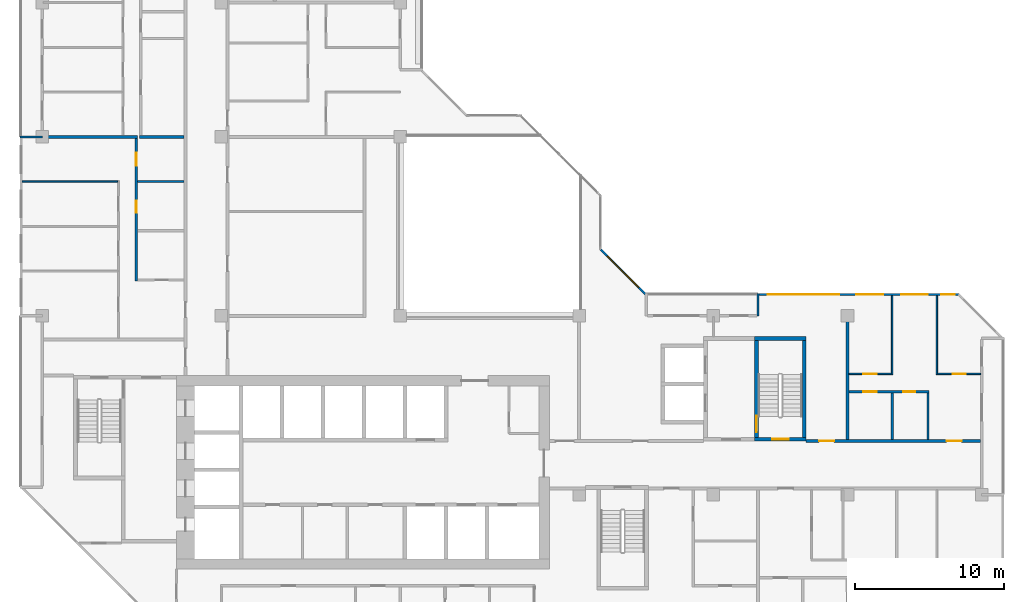
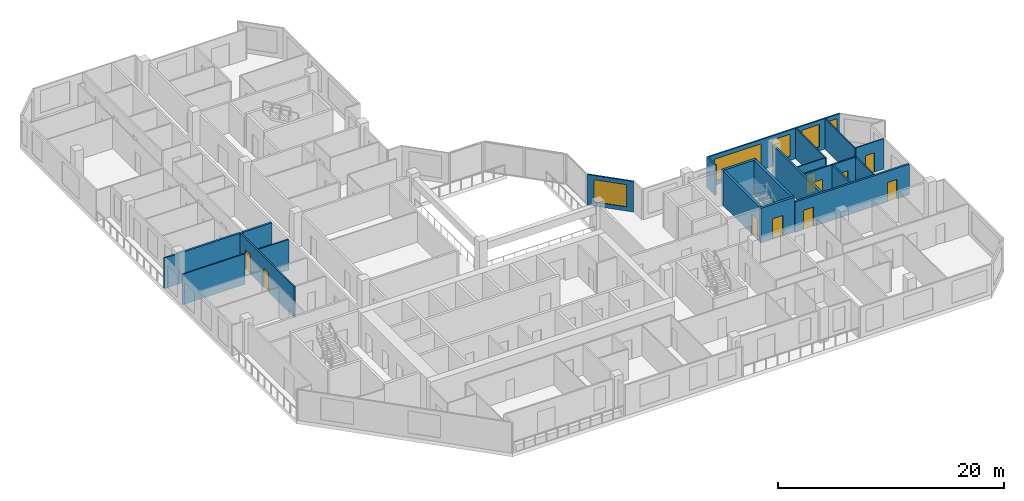
# One storey, part 8 of 15: 22 walls, 10 doors, 5 windows, 15 openings.
"""IFC4 building model written with IfcOpenShell, lengths in metres."""

from ifc_helpers import new_model, si_unit, direction, frame, frame_2d, origin, place, context, subcontext, project, spatial, rectangle, extrude, material, layer, layer_set, type_object, element, fill, save


model = new_model("IFC4")

# Units and contexts
model_context = context("Model", 3, precision=1e-05, world=origin(), true_north=direction((0.0, 1.0)))
body_context = subcontext(model_context, "Body", "Model", "MODEL_VIEW")
ifc_project = project(units=[si_unit("LENGTHUNIT", "METRE"), si_unit("AREAUNIT", "SQUARE_METRE"), si_unit("VOLUMEUNIT", "CUBIC_METRE"), si_unit("PLANEANGLEUNIT", "RADIAN"), si_unit("MASSUNIT", "GRAM", prefix="KILO")], contexts=[model_context])

# Site, building, storey
site_placement = place(None, origin())
site = spatial("IfcSite", under=ifc_project, at=site_placement, CompositionType="ELEMENT")
building_placement = place(site_placement, origin())
building = spatial("IfcBuilding", under=site, at=building_placement, Name="Chenar Terraces", CompositionType="ELEMENT")
storey_placement = place(building_placement, frame((0.0, 0.0, 252.89990234375)))
storey = spatial("IfcBuildingStorey", under=building, at=storey_placement, Name="L60", CompositionType="ELEMENT", Elevation=252.89990234375)

# Wall, opening, door
ifc_material_1 = material(Name="Concrete C60/75", Category="concrete")
ifc_layer_1 = layer(ifc_material_1, 0.25)
ifc_layer_set_1 = layer_set([ifc_layer_1], Name="Concrete C60/75")
wall_type_1 = type_object("IfcWallType", Name="Core wall 250 Concrete C60/75", PredefinedType="SHEAR", material=ifc_layer_set_1)
wall_1_placement = place(storey_placement, frame((47.77490234375, 15.72509765625, 0.0), z_axis=(0.0, 0.0, 1.0), x_axis=(1.0, 0.0, 0.0)))
wall_1 = element("IfcWall", 1, at=wall_1_placement, inside=storey, type_object=wall_type_1, Name="Core wall ST3_S L60", PredefinedType="SHEAR", context=body_context, shape_type="SweptSolid", body=[
    extrude(rectangle(XDim=3.4501953125, YDim=0.25, at=frame_2d((1.72509765625, 0.0))), origin(), (0.0, 0.0, 1.0), 3.75),
])
opening_1_placement = place(wall_1_placement, frame((1.175048828125, 0.0, 0.0)))
opening_1 = element("IfcOpeningElement", 2, at=opening_1_placement, cuts=wall_1, Name="Opening DL60-C8", PredefinedType="OPENING", context=body_context, shape_type="SweptSolid", body=[
    extrude(rectangle(XDim=1.10009765625, YDim=2.199951171875, at=frame_2d((0.550048828125, 1.10009765625))), frame((0.0, 0.135009765625, 0.0), z_axis=(0.0, -1.0, 0.0), x_axis=(1.0, 0.0, 0.0)), (0.0, 0.0, 1.0), 0.27001953125),
])
ifc_material_2 = material(Name="Steel-framed fire-resisting door leaf", Category="steel")
door_type_1 = type_object("IfcDoorType", Name="Stair fire door FD60 1100 x 2200", OperationType="SINGLE_SWING_LEFT", PredefinedType="DOOR", material=ifc_material_2)
door_1_placement = place(opening_1_placement, frame((1.10009765625, 0.0, 0.0), z_axis=(0.0, 0.0, 1.0), x_axis=(-1.0, 0.0, 0.0)))
door_1 = element("IfcDoor", 3, at=door_1_placement, inside=storey, type_object=door_type_1, Name="Stair door DL60-C8", OperationType="SINGLE_SWING_LEFT", OverallHeight=2.199951171875, OverallWidth=1.10009765625, PredefinedType="DOOR", context=body_context, shape_type="SweptSolid", body=[
    extrude(rectangle(XDim=1.10009765625, YDim=2.199951171875, at=frame_2d((0.550048828125, 1.10009765625))), frame((0.0, 0.02490234375, 0.0), z_axis=(0.0, -1.0, 0.0), x_axis=(1.0, 0.0, 0.0)), (0.0, 0.0, 1.0), 0.050048828125),
])
fill(opening_1, door_1)

# Wall
wall_2_placement = place(storey_placement, frame((47.77490234375, 22.47509765625, 0.0), z_axis=(0.0, 0.0, 1.0), x_axis=(1.0, 0.0, 0.0)))
element("IfcWall", 4, at=wall_2_placement, inside=storey, type_object=wall_type_1, Name="Core wall ST3_N L60", PredefinedType="SHEAR", context=body_context, shape_type="SweptSolid", body=[
    extrude(rectangle(XDim=3.4501953125, YDim=0.25, at=frame_2d((1.72509765625, 0.0))), origin(), (0.0, 0.0, 1.0), 3.75),
])

# Wall, opening, door
wall_3_placement = place(storey_placement, frame((47.89990234375, 15.85009765625, 0.0), z_axis=(0.0, 0.0, 1.0), x_axis=(0.0, 1.0, 0.0)))
wall_3 = element("IfcWall", 5, at=wall_3_placement, inside=storey, type_object=wall_type_1, Name="Core wall ST3_W L60", PredefinedType="SHEAR", context=body_context, shape_type="SweptSolid", body=[
    extrude(rectangle(XDim=6.5, YDim=0.25, at=frame_2d((3.25, 0.0))), origin(), (0.0, 0.0, 1.0), 3.75),
])
opening_2_placement = place(wall_3_placement, frame((0.35009765625, 0.0, 0.0)))
opening_2 = element("IfcOpeningElement", 6, at=opening_2_placement, cuts=wall_3, Name="Opening DL60-C11", PredefinedType="OPENING", context=body_context, shape_type="SweptSolid", body=[
    extrude(rectangle(XDim=1.10009765625, YDim=2.199951171875, at=frame_2d((0.550048828125, 1.10009765625))), frame((0.0, 0.135009765625, 0.0), z_axis=(0.0, -1.0, 0.0), x_axis=(1.0, 0.0, 0.0)), (0.0, 0.0, 1.0), 0.27001953125),
])
door_2_placement = place(opening_2_placement, frame((1.10009765625, 0.0, 0.0), z_axis=(0.0, 0.0, 1.0), x_axis=(-1.0, 0.0, 0.0)))
door_2 = element("IfcDoor", 7, at=door_2_placement, inside=storey, type_object=door_type_1, Name="Stair door DL60-C11", OperationType="SINGLE_SWING_RIGHT", OverallHeight=2.199951171875, OverallWidth=1.10009765625, PredefinedType="DOOR", context=body_context, shape_type="SweptSolid", body=[
    extrude(rectangle(XDim=1.10009765625, YDim=2.199951171875, at=frame_2d((0.550048828125, 1.10009765625))), frame((0.0, 0.02490234375, 0.0), z_axis=(0.0, -1.0, 0.0), x_axis=(1.0, 0.0, 0.0)), (0.0, 0.0, 1.0), 0.050048828125),
])
fill(opening_2, door_2)

# Wall
wall_4_placement = place(storey_placement, frame((51.10009765625, 15.85009765625, 0.0), z_axis=(0.0, 0.0, 1.0), x_axis=(0.0, 1.0, 0.0)))
element("IfcWall", 8, at=wall_4_placement, inside=storey, type_object=wall_type_1, Name="Core wall ST3_E L60", PredefinedType="SHEAR", context=body_context, shape_type="SweptSolid", body=[
    extrude(rectangle(XDim=6.5, YDim=0.25, at=frame_2d((3.25, 0.0))), origin(), (0.0, 0.0, 1.0), 3.75),
])

# Wall, openings, doors
ifc_material_3 = material(Name="Gypsum board on steel studs with fire boards", Category="steel")
ifc_layer_2 = layer(ifc_material_3, 0.199951171875)
ifc_layer_set_2 = layer_set([ifc_layer_2], Name="Gypsum board on steel studs with fire boards")
wall_type_2 = type_object("IfcWallType", Name="Corridor wall 200", PredefinedType="PARTITIONING", material=ifc_layer_set_2)
wall_5_placement = place(storey_placement, frame((51.22509765625, 15.60009765625, 0.0), z_axis=(0.0, 0.0, 1.0), x_axis=(1.0, 0.0, 0.0)))
wall_5 = element("IfcWall", 9, at=wall_5_placement, inside=storey, type_object=wall_type_2, Name="Partition L60-078", PredefinedType="PARTITIONING", context=body_context, shape_type="SweptSolid", body=[
    extrude(rectangle(XDim=11.700927734375, YDim=0.199951171875, at=frame_2d((5.8505859375, 0.0))), origin(), (0.0, 0.0, 1.0), 3.300048828125),
])
opening_3_placement = place(wall_5_placement, frame((9.425048828125, 0.0, 0.0)))
opening_3 = element("IfcOpeningElement", 10, at=opening_3_placement, cuts=wall_5, Name="Opening DL60-8", PredefinedType="OPENING", context=body_context, shape_type="SweptSolid", body=[
    extrude(rectangle(XDim=1.0, YDim=2.10009765625, at=frame_2d((0.5, 1.050048828125))), frame((0.0, 0.10986328125, 0.0), z_axis=(0.0, -1.0, 0.0), x_axis=(1.0, 0.0, 0.0)), (0.0, 0.0, 1.0), 0.219970703125),
])
opening_4_placement = place(wall_5_placement, frame((0.875, 0.0, 0.0)))
opening_4 = element("IfcOpeningElement", 11, at=opening_4_placement, cuts=wall_5, Name="Opening DL60-45", PredefinedType="OPENING", context=body_context, shape_type="SweptSolid", body=[
    extrude(rectangle(XDim=1.0, YDim=2.10009765625, at=frame_2d((0.5, 1.050048828125))), frame((0.0, 0.10986328125, 0.0), z_axis=(0.0, -1.0, 0.0), x_axis=(1.0, 0.0, 0.0)), (0.0, 0.0, 1.0), 0.219970703125),
])
ifc_material_4 = material(Name="Steel-framed fire-resisting door leaf", Category="steel")
door_type_2 = type_object("IfcDoorType", Name="Fire door FD30S 1000 x 2100", OperationType="SINGLE_SWING_LEFT", PredefinedType="DOOR", material=ifc_material_4)
door_3_placement = place(opening_3_placement, origin())
door_3 = element("IfcDoor", 12, at=door_3_placement, inside=storey, type_object=door_type_2, Name="Door DL60-8", OperationType="SINGLE_SWING_LEFT", OverallHeight=2.10009765625, OverallWidth=1.0, PredefinedType="DOOR", context=body_context, shape_type="SweptSolid", body=[
    extrude(rectangle(XDim=1.0, YDim=2.10009765625, at=frame_2d((0.5, 1.050048828125))), frame((0.0, 0.02490234375, 0.0), z_axis=(0.0, -1.0, 0.0), x_axis=(1.0, 0.0, 0.0)), (0.0, 0.0, 1.0), 0.050048828125),
])
fill(opening_3, door_3)
door_4_placement = place(opening_4_placement, origin())
door_4 = element("IfcDoor", 13, at=door_4_placement, inside=storey, type_object=door_type_2, Name="Door DL60-45", OperationType="SINGLE_SWING_RIGHT", OverallHeight=2.10009765625, OverallWidth=1.0, PredefinedType="DOOR", context=body_context, shape_type="SweptSolid", body=[
    extrude(rectangle(XDim=1.0, YDim=2.10009765625, at=frame_2d((0.5, 1.050048828125))), frame((0.0, 0.02490234375, 0.0), z_axis=(0.0, -1.0, 0.0), x_axis=(1.0, 0.0, 0.0)), (0.0, 0.0, 1.0), 0.050048828125),
])
fill(opening_4, door_4)

# Wall, openings, windows
ifc_material_5 = material(Name="Aluminium framed glazing", Category="aluminium")
ifc_layer_3 = layer(ifc_material_5, 0.14990234375)
ifc_layer_set_3 = layer_set([ifc_layer_3], Name="Aluminium framed glazing")
wall_type_3 = type_object("IfcWallType", Name="Glazed flush facade wall 150", PredefinedType="SOLIDWALL", material=ifc_layer_set_3)
wall_6_placement = place(storey_placement, frame((61.5, 25.425048828125, 0.0), z_axis=(0.0, 0.0, 1.0), x_axis=(-1.0, 0.0, 0.0)))
wall_6 = element("IfcWall", 14, at=wall_6_placement, inside=storey, type_object=wall_type_3, Name="Glazed flush facade wall", PredefinedType="SOLIDWALL", context=body_context, shape_type="SweptSolid", body=[
    extrude(rectangle(XDim=13.425048828125, YDim=0.14990234375, at=frame_2d((6.71240234375, 0.0))), origin(), (0.0, 0.0, 1.0), 3.300048828125),
])
opening_5_placement = place(wall_6_placement, frame((0.300048828125, 0.0, 0.449951171875)))
opening_5 = element("IfcOpeningElement", 15, at=opening_5_placement, cuts=wall_6, Name="Opening W90x240", PredefinedType="OPENING", context=body_context, shape_type="SweptSolid", body=[
    extrude(rectangle(XDim=0.89990234375, YDim=2.39990234375, at=frame_2d((0.449951171875, 1.199951171875))), frame((0.0, 0.0849609375, 0.0), z_axis=(0.0, -1.0, 0.0), x_axis=(1.0, 0.0, 0.0)), (0.0, 0.0, 1.0), 0.169921875),
])
opening_6_placement = place(wall_6_placement, frame((2.10009765625, 0.0, 0.449951171875)))
opening_6 = element("IfcOpeningElement", 16, at=opening_6_placement, cuts=wall_6, Name="Opening W180x240", PredefinedType="OPENING", context=body_context, shape_type="SweptSolid", body=[
    extrude(rectangle(XDim=1.800048828125, YDim=2.39990234375, at=frame_2d((0.89990234375, 1.199951171875))), frame((0.0, 0.0849609375, 0.0), z_axis=(0.0, -1.0, 0.0), x_axis=(1.0, 0.0, 0.0)), (0.0, 0.0, 1.0), 0.169921875),
])
opening_7_placement = place(wall_6_placement, frame((5.10009765625, 0.0, 0.449951171875)))
opening_7 = element("IfcOpeningElement", 17, at=opening_7_placement, cuts=wall_6, Name="Opening W180x240", PredefinedType="OPENING", context=body_context, shape_type="SweptSolid", body=[
    extrude(rectangle(XDim=1.800048828125, YDim=2.39990234375, at=frame_2d((0.89990234375, 1.199951171875))), frame((0.0, 0.0849609375, 0.0), z_axis=(0.0, -1.0, 0.0), x_axis=(1.0, 0.0, 0.0)), (0.0, 0.0, 1.0), 0.169921875),
])
opening_8_placement = place(wall_6_placement, frame((8.0625, 0.0, 0.449951171875)))
opening_8 = element("IfcOpeningElement", 18, at=opening_8_placement, cuts=wall_6, Name="Opening W480x240", PredefinedType="OPENING", context=body_context, shape_type="SweptSolid", body=[
    extrude(rectangle(XDim=4.800048828125, YDim=2.39990234375, at=frame_2d((2.39990234375, 1.199951171875))), frame((0.0, 0.0849609375, 0.0), z_axis=(0.0, -1.0, 0.0), x_axis=(1.0, 0.0, 0.0)), (0.0, 0.0, 1.0), 0.169921875),
])
ifc_material_6 = material(Name="Low emissivity double glazing, aluminium frame", Category="aluminium")
window_type_1 = type_object("IfcWindowType", Name="Fixed light 1800 x 2400", PartitioningType="SINGLE_PANEL", PredefinedType="WINDOW", material=ifc_material_6)
window_1_placement = place(opening_6_placement, origin())
window_1 = element("IfcWindow", 19, at=window_1_placement, inside=storey, type_object=window_type_1, Name="Window", OverallHeight=2.39990234375, OverallWidth=1.800048828125, PartitioningType="SINGLE_PANEL", PredefinedType="WINDOW", context=body_context, shape_type="SweptSolid", body=[
    extrude(rectangle(XDim=1.800048828125, YDim=2.39990234375, at=frame_2d((0.89990234375, 1.199951171875))), frame((0.0, 0.030029296875, 0.0), z_axis=(0.0, -1.0, 0.0), x_axis=(1.0, 0.0, 0.0)), (0.0, 0.0, 1.0), 0.06005859375),
])
fill(opening_6, window_1)
window_2_placement = place(opening_7_placement, origin())
window_2 = element("IfcWindow", 20, at=window_2_placement, inside=storey, type_object=window_type_1, Name="Window", OverallHeight=2.39990234375, OverallWidth=1.800048828125, PartitioningType="SINGLE_PANEL", PredefinedType="WINDOW", context=body_context, shape_type="SweptSolid", body=[
    extrude(rectangle(XDim=1.800048828125, YDim=2.39990234375, at=frame_2d((0.89990234375, 1.199951171875))), frame((0.0, 0.030029296875, 0.0), z_axis=(0.0, -1.0, 0.0), x_axis=(1.0, 0.0, 0.0)), (0.0, 0.0, 1.0), 0.06005859375),
])
fill(opening_7, window_2)
ifc_material_7 = material(Name="Low emissivity double glazing, aluminium frame", Category="aluminium")
window_type_2 = type_object("IfcWindowType", Name="Fixed light 4800 x 2400", PartitioningType="SINGLE_PANEL", PredefinedType="WINDOW", material=ifc_material_7)
window_3_placement = place(opening_8_placement, origin())
window_3 = element("IfcWindow", 21, at=window_3_placement, inside=storey, type_object=window_type_2, Name="Window", OverallHeight=2.39990234375, OverallWidth=4.800048828125, PartitioningType="SINGLE_PANEL", PredefinedType="WINDOW", context=body_context, shape_type="SweptSolid", body=[
    extrude(rectangle(XDim=4.800048828125, YDim=2.39990234375, at=frame_2d((2.39990234375, 1.199951171875))), frame((0.0, 0.030029296875, 0.0), z_axis=(0.0, -1.0, 0.0), x_axis=(1.0, 0.0, 0.0)), (0.0, 0.0, 1.0), 0.06005859375),
])
fill(opening_8, window_3)
ifc_material_8 = material(Name="Low emissivity double glazing, aluminium frame", Category="aluminium")
window_type_3 = type_object("IfcWindowType", Name="Fixed light 900 x 2400", PartitioningType="SINGLE_PANEL", PredefinedType="WINDOW", material=ifc_material_8)
window_4_placement = place(opening_5_placement, origin())
window_4 = element("IfcWindow", 22, at=window_4_placement, inside=storey, type_object=window_type_3, Name="Window", OverallHeight=2.39990234375, OverallWidth=0.89990234375, PartitioningType="SINGLE_PANEL", PredefinedType="WINDOW", context=body_context, shape_type="SweptSolid", body=[
    extrude(rectangle(XDim=0.89990234375, YDim=2.39990234375, at=frame_2d((0.449951171875, 1.199951171875))), frame((0.0, 0.030029296875, 0.0), z_axis=(0.0, -1.0, 0.0), x_axis=(1.0, 0.0, 0.0)), (0.0, 0.0, 1.0), 0.06005859375),
])
fill(opening_5, window_4)

# Wall
ifc_material_9 = material(Name="Gypsum board on steel studs", Category="steel")
ifc_layer_4 = layer(ifc_material_9, 0.10009765625)
ifc_layer_set_4 = layer_set([ifc_layer_4], Name="Gypsum board on steel studs")
wall_type_4 = type_object("IfcWallType", Name="Gypsum partition 100", PredefinedType="PARTITIONING", material=ifc_layer_set_4)
wall_7_placement = place(storey_placement, frame((-1.35009765625, 33.0, 0.0), z_axis=(0.0, 0.0, 1.0), x_axis=(1.0, 0.0, 0.0)))
element("IfcWall", 23, at=wall_7_placement, inside=storey, type_object=wall_type_4, Name="Partition L60-004", PredefinedType="PARTITIONING", context=body_context, shape_type="SweptSolid", body=[
    extrude(rectangle(XDim=6.400146484375, YDim=0.10009765625, at=frame_2d((3.2001953125, 0.0))), origin(), (0.0, 0.0, 1.0), 3.300048828125),
])

# Wall, opening, door
wall_8_placement = place(storey_placement, frame((54.10009765625, 20.10009765625, 0.0), z_axis=(0.0, 0.0, 1.0), x_axis=(1.0, 0.0, 0.0)))
wall_8 = element("IfcWall", 24, at=wall_8_placement, inside=storey, type_object=wall_type_4, Name="Partition L60-085", PredefinedType="PARTITIONING", context=body_context, shape_type="SweptSolid", body=[
    extrude(rectangle(XDim=2.849853515625, YDim=0.10009765625, at=frame_2d((1.4248046875, 0.0))), origin(), (0.0, 0.0, 1.0), 3.300048828125),
])
opening_9_placement = place(wall_8_placement, frame((0.949951171875, 0.0, 0.0)))
opening_9 = element("IfcOpeningElement", 25, at=opening_9_placement, cuts=wall_8, Name="Opening DL60-5", PredefinedType="OPENING", context=body_context, shape_type="SweptSolid", body=[
    extrude(rectangle(XDim=0.89990234375, YDim=2.10009765625, at=frame_2d((0.449951171875, 1.050048828125))), frame((0.0, 0.06005859375, 0.0), z_axis=(0.0, -1.0, 0.0), x_axis=(1.0, 0.0, 0.0)), (0.0, 0.0, 1.0), 0.1201171875),
])
ifc_material_10 = material(Name="Veneered timber door leaf", Category="wood")
door_type_3 = type_object("IfcDoorType", Name="Door 900 x 2100", OperationType="SINGLE_SWING_LEFT", PredefinedType="DOOR", material=ifc_material_10)
door_5_placement = place(opening_9_placement, origin())
door_5 = element("IfcDoor", 26, at=door_5_placement, inside=storey, type_object=door_type_3, Name="Door DL60-5", OperationType="SINGLE_SWING_RIGHT", OverallHeight=2.10009765625, OverallWidth=0.89990234375, PredefinedType="DOOR", context=body_context, shape_type="SweptSolid", body=[
    extrude(rectangle(XDim=0.89990234375, YDim=2.10009765625, at=frame_2d((0.449951171875, 1.050048828125))), frame((0.0, 0.02490234375, 0.0), z_axis=(0.0, -1.0, 0.0), x_axis=(1.0, 0.0, 0.0)), (0.0, 0.0, 1.0), 0.050048828125),
])
fill(opening_9, door_5)

# Walls
for number, where, z_axis, x_axis, name in (
    (27, (57.0, 20.050048828125, 0.0), (0.0, 0.0, 1.0), (0.0, 1.0, 0.0), "Partition L60-088"),
    (28, (60.0, 20.050048828125, 0.0), (0.0, 0.0, 1.0), (0.0, 1.0, 0.0), "Partition L60-092"),
):
    element("IfcWall", number, at=place(storey_placement, frame(where, z_axis=z_axis, x_axis=x_axis)), inside=storey, type_object=wall_type_4, Name=name, PredefinedType="PARTITIONING", context=body_context, shape_type="SweptSolid", body=[
        extrude(rectangle(XDim=5.300048828125, YDim=0.10009765625, at=frame_2d((2.64990234375, 0.0))), origin(), (0.0, 0.0, 1.0), 3.300048828125),
    ])

# Wall, opening, door
wall_9_placement = place(storey_placement, frame((60.050048828125, 20.10009765625, 0.0), z_axis=(0.0, 0.0, 1.0), x_axis=(1.0, 0.0, 0.0)))
wall_9 = element("IfcWall", 29, at=wall_9_placement, inside=storey, type_object=wall_type_4, Name="Partition L60-093", PredefinedType="PARTITIONING", context=body_context, shape_type="SweptSolid", body=[
    extrude(rectangle(XDim=2.8759765625, YDim=0.10009765625, at=frame_2d((1.43798828125, 0.0))), origin(), (0.0, 0.0, 1.0), 3.300048828125),
])
opening_10_placement = place(wall_9_placement, frame((1.0, 0.0, 0.0)))
opening_10 = element("IfcOpeningElement", 30, at=opening_10_placement, cuts=wall_9, Name="Opening DL60-6", PredefinedType="OPENING", context=body_context, shape_type="SweptSolid", body=[
    extrude(rectangle(XDim=0.89990234375, YDim=2.10009765625, at=frame_2d((0.449951171875, 1.050048828125))), frame((0.0, 0.06005859375, 0.0), z_axis=(0.0, -1.0, 0.0), x_axis=(1.0, 0.0, 0.0)), (0.0, 0.0, 1.0), 0.1201171875),
])
door_6_placement = place(opening_10_placement, origin())
door_6 = element("IfcDoor", 31, at=door_6_placement, inside=storey, type_object=door_type_3, Name="Door DL60-6", OperationType="SINGLE_SWING_RIGHT", OverallHeight=2.10009765625, OverallWidth=0.89990234375, PredefinedType="DOOR", context=body_context, shape_type="SweptSolid", body=[
    extrude(rectangle(XDim=0.89990234375, YDim=2.10009765625, at=frame_2d((0.449951171875, 1.050048828125))), frame((0.0, 0.02490234375, 0.0), z_axis=(0.0, -1.0, 0.0), x_axis=(1.0, 0.0, 0.0)), (0.0, 0.0, 1.0), 0.050048828125),
])
fill(opening_10, door_6)

# Walls
ifc_material_11 = material(Name="Terracotta cladding on insulated backing", Category="masonry")
ifc_layer_5 = layer(ifc_material_11, 0.14990234375)
ifc_layer_set_5 = layer_set([ifc_layer_5], Name="Terracotta cladding on insulated backing")
wall_type_5 = type_object("IfcWallType", Name="Loggia return wall 150", PredefinedType="SOLIDWALL", material=ifc_layer_set_5)
for number, where, z_axis, x_axis, name in (
    (32, (48.0, 25.5, 0.0), (0.0, 0.0, 1.0), (0.0, -1.0, 0.0), "Loggia return wall"),
    (33, (-1.5, 36.0, 0.0), (0.0, 0.0, 1.0), (1.0, 0.0, 0.0), "Loggia return wall"),
):
    element("IfcWall", number, at=place(storey_placement, frame(where, z_axis=z_axis, x_axis=x_axis)), inside=storey, type_object=wall_type_5, Name=name, PredefinedType="SOLIDWALL", context=body_context, shape_type="SweptSolid", body=[
        extrude(rectangle(XDim=1.5, YDim=0.14990234375, at=frame_2d((0.75, 0.0))), origin(), (0.0, 0.0, 1.0), 3.300048828125),
    ])

# Wall, opening, window
ifc_material_12 = material(Name="Terracotta cladding on insulated backing", Category="masonry")
ifc_layer_6 = layer(ifc_material_12, 0.14990234375)
ifc_layer_set_6 = layer_set([ifc_layer_6], Name="Terracotta cladding on insulated backing")
wall_type_6 = type_object("IfcWallType", Name="Terracotta rainscreen wall 150", PredefinedType="SOLIDWALL", material=ifc_layer_set_6)
wall_10_placement = place(storey_placement, frame((40.447021484375, 25.447021484375, 0.0), z_axis=(0.0, 0.0, 1.0), x_axis=(-0.707106781187, 0.707106781187, 0.0)))
wall_10 = element("IfcWall", 34, at=wall_10_placement, inside=storey, type_object=wall_type_6, Name="Terracotta rainscreen wall", PredefinedType="SOLIDWALL", context=body_context, shape_type="SweptSolid", body=[
    extrude(rectangle(XDim=4.24267578125, YDim=0.14990234375, at=frame_2d((2.121337890625, 0.0))), origin(), (0.0, 0.0, 1.0), 3.300048828125),
])
opening_11_placement = place(wall_10_placement, frame((0.621337890625, 0.0, 0.449951171875)))
opening_11 = element("IfcOpeningElement", 35, at=opening_11_placement, cuts=wall_10, Name="Opening W300x240", PredefinedType="OPENING", context=body_context, shape_type="SweptSolid", body=[
    extrude(rectangle(XDim=3.0, YDim=2.39990234375, at=frame_2d((1.5, 1.199951171875))), frame((0.0, 0.0849609375, 0.0), z_axis=(0.0, -1.0, 0.0), x_axis=(1.0, 0.0, 0.0)), (0.0, 0.0, 1.0), 0.169921875),
])
ifc_material_13 = material(Name="Low emissivity double glazing, aluminium frame", Category="aluminium")
window_type_4 = type_object("IfcWindowType", Name="Fixed light 3000 x 2400", PartitioningType="SINGLE_PANEL", PredefinedType="WINDOW", material=ifc_material_13)
window_5_placement = place(opening_11_placement, origin())
window_5 = element("IfcWindow", 36, at=window_5_placement, inside=storey, type_object=window_type_4, Name="Window", OverallHeight=2.39990234375, OverallWidth=3.0, PartitioningType="SINGLE_PANEL", PredefinedType="WINDOW", context=body_context, shape_type="SweptSolid", body=[
    extrude(rectangle(XDim=3.0, YDim=2.39990234375, at=frame_2d((1.5, 1.199951171875))), frame((0.0, 0.030029296875, 0.0), z_axis=(0.0, -1.0, 0.0), x_axis=(1.0, 0.0, 0.0)), (0.0, 0.0, 1.0), 0.06005859375),
])
fill(opening_11, window_5)

# Walls
ifc_material_14 = material(Name="Twin gypsum board on steel studs with mineral wool", Category="steel")
ifc_layer_7 = layer(ifc_material_14, 0.199951171875)
ifc_layer_set_7 = layer_set([ifc_layer_7], Name="Twin gypsum board on steel studs with mineral wool")
wall_type_7 = type_object("IfcWallType", Name="Unit demising wall 200", PredefinedType="PARTITIONING", material=ifc_layer_set_7)
wall_11_placement = place(storey_placement, frame((0.0, 36.0, 0.0), z_axis=(0.0, 0.0, 1.0), x_axis=(1.0, 0.0, 0.0)))
element("IfcWall", 37, at=wall_11_placement, inside=storey, type_object=wall_type_7, Name="Partition L60-005", PredefinedType="PARTITIONING", context=body_context, shape_type="SweptSolid", body=[
    extrude(rectangle(XDim=6.375, YDim=0.199951171875, at=frame_2d((3.1875, 0.0))), origin(), (0.0, 0.0, 1.0), 3.300048828125),
])
wall_12_placement = place(storey_placement, frame((6.52490234375, 36.0, 0.0), z_axis=(0.0, 0.0, 1.0), x_axis=(1.0, 0.0, 0.0)))
element("IfcWall", 38, at=wall_12_placement, inside=storey, type_object=wall_type_7, Name="Partition L60-021", PredefinedType="PARTITIONING", context=body_context, shape_type="SweptSolid", body=[
    extrude(rectangle(XDim=2.97509765625, YDim=0.199951171875, at=frame_2d((1.487548828125, 0.0))), origin(), (0.0, 0.0, 1.0), 3.300048828125),
])
wall_13_placement = place(storey_placement, frame((54.0, 15.699951171875, 0.0), z_axis=(0.0, 0.0, 1.0), x_axis=(0.0, 1.0, 0.0)))
element("IfcWall", 39, at=wall_13_placement, inside=storey, type_object=wall_type_7, Name="Partition L60-083", PredefinedType="PARTITIONING", context=body_context, shape_type="SweptSolid", body=[
    extrude(rectangle(XDim=8.300048828125, YDim=0.199951171875, at=frame_2d((4.14990234375, 0.0))), origin(), (0.0, 0.0, 1.0), 3.300048828125),
])

# Wall, openings, doors
ifc_material_15 = material(Name="Moisture-resistant gypsum board on steel studs", Category="steel")
ifc_layer_8 = layer(ifc_material_15, 0.14990234375)
ifc_layer_set_8 = layer_set([ifc_layer_8], Name="Moisture-resistant gypsum board on steel studs")
wall_type_8 = type_object("IfcWallType", Name="Wet-room partition 150", PredefinedType="PARTITIONING", material=ifc_layer_set_8)
wall_14_placement = place(storey_placement, frame((6.300048828125, 26.324951171875, 0.0), z_axis=(0.0, 0.0, 1.0), x_axis=(0.0, 1.0, 0.0)))
wall_14 = element("IfcWall", 40, at=wall_14_placement, inside=storey, type_object=wall_type_8, Name="Partition L60-017", PredefinedType="PARTITIONING", context=body_context, shape_type="SweptSolid", body=[
    extrude(rectangle(XDim=9.574951171875, YDim=0.14990234375, at=frame_2d((4.78759765625, 0.0))), origin(), (0.0, 0.0, 1.0), 3.300048828125),
])
opening_12_placement = place(wall_14_placement, frame((4.574951171875, 0.0, 0.0)))
opening_12 = element("IfcOpeningElement", 41, at=opening_12_placement, cuts=wall_14, Name="Opening DL60-60", PredefinedType="OPENING", context=body_context, shape_type="SweptSolid", body=[
    extrude(rectangle(XDim=0.800048828125, YDim=2.10009765625, at=frame_2d((0.39990234375, 1.050048828125))), frame((0.0, 0.0849609375, 0.0), z_axis=(0.0, -1.0, 0.0), x_axis=(1.0, 0.0, 0.0)), (0.0, 0.0, 1.0), 0.169921875),
])
opening_13_placement = place(wall_14_placement, frame((7.72509765625, 0.0, 0.0)))
opening_13 = element("IfcOpeningElement", 42, at=opening_13_placement, cuts=wall_14, Name="Opening DL60-64", PredefinedType="OPENING", context=body_context, shape_type="SweptSolid", body=[
    extrude(rectangle(XDim=0.89990234375, YDim=2.10009765625, at=frame_2d((0.449951171875, 1.050048828125))), frame((0.0, 0.0849609375, 0.0), z_axis=(0.0, -1.0, 0.0), x_axis=(1.0, 0.0, 0.0)), (0.0, 0.0, 1.0), 0.169921875),
])
ifc_material_16 = material(Name="Veneered timber door leaf", Category="wood")
door_type_4 = type_object("IfcDoorType", Name="Door 800 x 2100", OperationType="SINGLE_SWING_LEFT", PredefinedType="DOOR", material=ifc_material_16)
door_7_placement = place(opening_12_placement, frame((0.800048828125, 0.0, 0.0), z_axis=(0.0, 0.0, 1.0), x_axis=(-1.0, 0.0, 0.0)))
door_7 = element("IfcDoor", 43, at=door_7_placement, inside=storey, type_object=door_type_4, Name="Door DL60-60", OperationType="SINGLE_SWING_RIGHT", OverallHeight=2.10009765625, OverallWidth=0.800048828125, PredefinedType="DOOR", context=body_context, shape_type="SweptSolid", body=[
    extrude(rectangle(XDim=0.800048828125, YDim=2.10009765625, at=frame_2d((0.39990234375, 1.050048828125))), frame((0.0, 0.02490234375, 0.0), z_axis=(0.0, -1.0, 0.0), x_axis=(1.0, 0.0, 0.0)), (0.0, 0.0, 1.0), 0.050048828125),
])
fill(opening_12, door_7)
door_8_placement = place(opening_13_placement, frame((0.89990234375, 0.0, 0.0), z_axis=(0.0, 0.0, 1.0), x_axis=(-1.0, 0.0, 0.0)))
door_8 = element("IfcDoor", 44, at=door_8_placement, inside=storey, type_object=door_type_3, Name="Door DL60-64", OperationType="SINGLE_SWING_RIGHT", OverallHeight=2.10009765625, OverallWidth=0.89990234375, PredefinedType="DOOR", context=body_context, shape_type="SweptSolid", body=[
    extrude(rectangle(XDim=0.89990234375, YDim=2.10009765625, at=frame_2d((0.449951171875, 1.050048828125))), frame((0.0, 0.02490234375, 0.0), z_axis=(0.0, -1.0, 0.0), x_axis=(1.0, 0.0, 0.0)), (0.0, 0.0, 1.0), 0.050048828125),
])
fill(opening_13, door_8)

# Wall
wall_15_placement = place(storey_placement, frame((6.375, 33.0, 0.0), z_axis=(0.0, 0.0, 1.0), x_axis=(1.0, 0.0, 0.0)))
element("IfcWall", 45, at=wall_15_placement, inside=storey, type_object=wall_type_8, Name="Partition L60-020", PredefinedType="PARTITIONING", context=body_context, shape_type="SweptSolid", body=[
    extrude(rectangle(XDim=3.125, YDim=0.14990234375, at=frame_2d((1.5625, 0.0))), origin(), (0.0, 0.0, 1.0), 3.300048828125),
])

# Wall, openings, doors
wall_16_placement = place(storey_placement, frame((54.10009765625, 18.89990234375, 0.0), z_axis=(0.0, 0.0, 1.0), x_axis=(1.0, 0.0, 0.0)))
wall_16 = element("IfcWall", 46, at=wall_16_placement, inside=storey, type_object=wall_type_8, Name="Partition L60-084", PredefinedType="PARTITIONING", context=body_context, shape_type="SweptSolid", body=[
    extrude(rectangle(XDim=5.375, YDim=0.14990234375, at=frame_2d((2.6875, 0.0))), origin(), (0.0, 0.0, 1.0), 3.300048828125),
])
opening_14_placement = place(wall_16_placement, frame((3.64990234375, 0.0, 0.0)))
opening_14 = element("IfcOpeningElement", 47, at=opening_14_placement, cuts=wall_16, Name="Opening DL60-4", PredefinedType="OPENING", context=body_context, shape_type="SweptSolid", body=[
    extrude(rectangle(XDim=0.800048828125, YDim=2.10009765625, at=frame_2d((0.39990234375, 1.050048828125))), frame((0.0, 0.0849609375, 0.0), z_axis=(0.0, -1.0, 0.0), x_axis=(1.0, 0.0, 0.0)), (0.0, 0.0, 1.0), 0.169921875),
])
opening_15_placement = place(wall_16_placement, frame((0.949951171875, 0.0, 0.0)))
opening_15 = element("IfcOpeningElement", 48, at=opening_15_placement, cuts=wall_16, Name="Opening DL60-7", PredefinedType="OPENING", context=body_context, shape_type="SweptSolid", body=[
    extrude(rectangle(XDim=0.89990234375, YDim=2.10009765625, at=frame_2d((0.449951171875, 1.050048828125))), frame((0.0, 0.0849609375, 0.0), z_axis=(0.0, -1.0, 0.0), x_axis=(1.0, 0.0, 0.0)), (0.0, 0.0, 1.0), 0.169921875),
])
door_9_placement = place(opening_14_placement, frame((0.800048828125, 0.0, 0.0), z_axis=(0.0, 0.0, 1.0), x_axis=(-1.0, 0.0, 0.0)))
door_9 = element("IfcDoor", 49, at=door_9_placement, inside=storey, type_object=door_type_4, Name="Door DL60-4", OperationType="SINGLE_SWING_RIGHT", OverallHeight=2.10009765625, OverallWidth=0.800048828125, PredefinedType="DOOR", context=body_context, shape_type="SweptSolid", body=[
    extrude(rectangle(XDim=0.800048828125, YDim=2.10009765625, at=frame_2d((0.39990234375, 1.050048828125))), frame((0.0, 0.02490234375, 0.0), z_axis=(0.0, -1.0, 0.0), x_axis=(1.0, 0.0, 0.0)), (0.0, 0.0, 1.0), 0.050048828125),
])
fill(opening_14, door_9)
door_10_placement = place(opening_15_placement, frame((0.89990234375, 0.0, 0.0), z_axis=(0.0, 0.0, 1.0), x_axis=(-1.0, 0.0, 0.0)))
door_10 = element("IfcDoor", 50, at=door_10_placement, inside=storey, type_object=door_type_3, Name="Door DL60-7", OperationType="SINGLE_SWING_LEFT", OverallHeight=2.10009765625, OverallWidth=0.89990234375, PredefinedType="DOOR", context=body_context, shape_type="SweptSolid", body=[
    extrude(rectangle(XDim=0.89990234375, YDim=2.10009765625, at=frame_2d((0.449951171875, 1.050048828125))), frame((0.0, 0.02490234375, 0.0), z_axis=(0.0, -1.0, 0.0), x_axis=(1.0, 0.0, 0.0)), (0.0, 0.0, 1.0), 0.050048828125),
])
fill(opening_15, door_10)

# Walls
for number, where, z_axis, x_axis, name in (
    (51, (57.0, 15.699951171875, 0.0), (0.0, 0.0, 1.0), (0.0, 1.0, 0.0), "Partition L60-087"),
    (52, (59.39990234375, 15.699951171875, 0.0), (0.0, 0.0, 1.0), (0.0, 1.0, 0.0), "Partition L60-090"),
):
    element("IfcWall", number, at=place(storey_placement, frame(where, z_axis=z_axis, x_axis=x_axis)), inside=storey, type_object=wall_type_8, Name=name, PredefinedType="PARTITIONING", context=body_context, shape_type="SweptSolid", body=[
        extrude(rectangle(XDim=3.125, YDim=0.14990234375, at=frame_2d((1.5625, 0.0))), origin(), (0.0, 0.0, 1.0), 3.300048828125),
    ])

save(model, "model.ifc")
